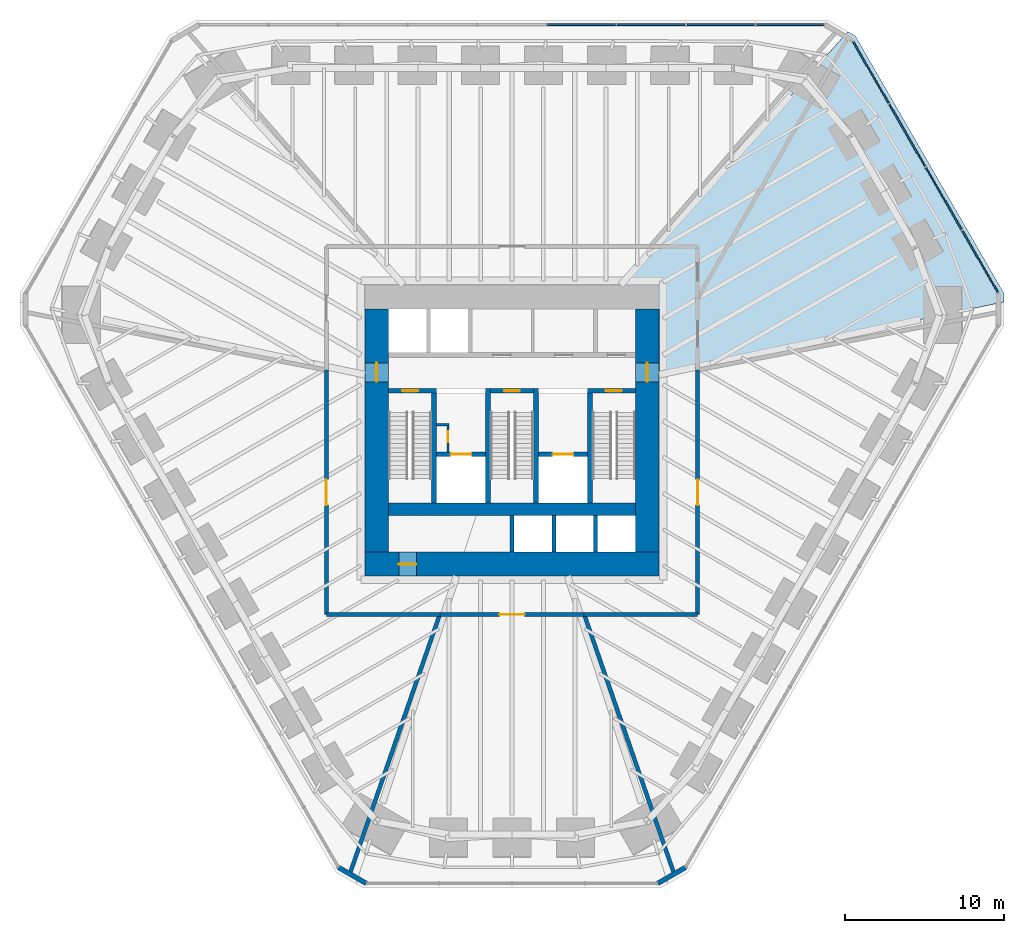
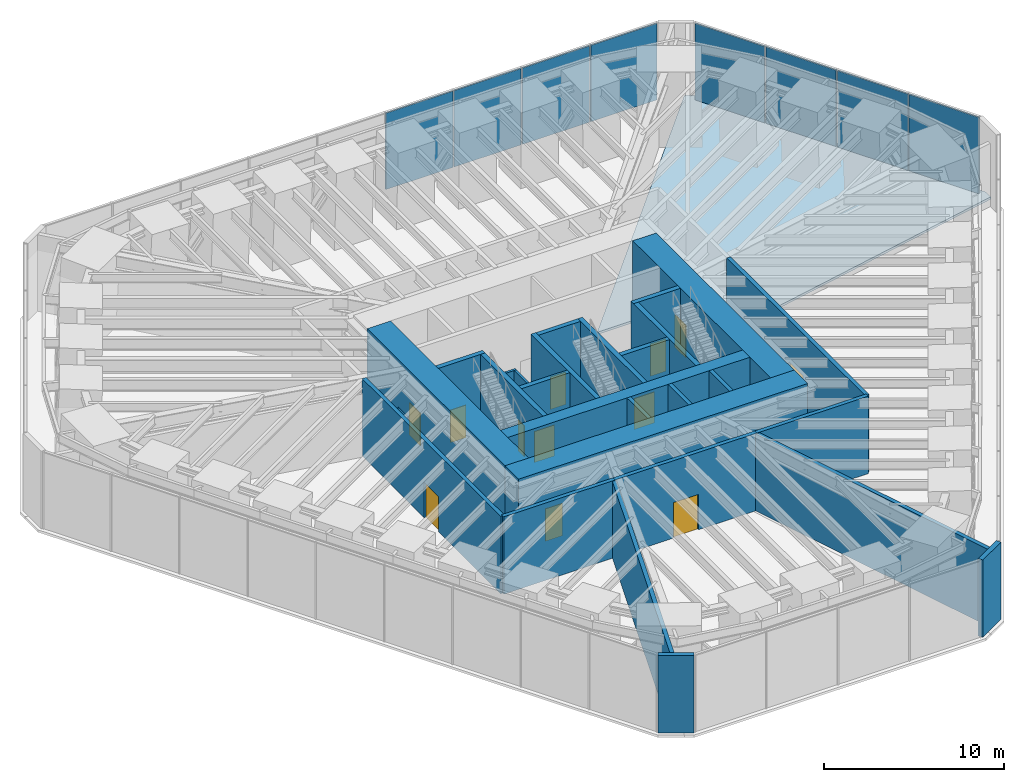
# One storey, part 11 of 13: 27 walls, 12 doors, 8 plates, 1 slab, 12 openings, 2 elements without a shape of their own.
"""IFC4 building model written with IfcOpenShell, lengths in metres."""

from ifc_helpers import new_model, si_unit, direction, frame, frame_2d, origin, origin_2d, place, context, subcontext, project, spatial, polyline, rectangle, outline, extrude, material, layer, layer_set, type_object, element, fill, aggregate, save


model = new_model("IFC4")

# Units and contexts
model_context = context("Model", 3, precision=1e-05, world=origin(), true_north=direction((0.0, 1.0)))
body_context = subcontext(model_context, "Body", "Model", "MODEL_VIEW")
ifc_project = project(units=[si_unit("LENGTHUNIT", "METRE"), si_unit("AREAUNIT", "SQUARE_METRE"), si_unit("VOLUMEUNIT", "CUBIC_METRE"), si_unit("PLANEANGLEUNIT", "RADIAN"), si_unit("MASSUNIT", "GRAM", prefix="KILO")], contexts=[model_context])

# Site, building, storey
site_placement = place(None, origin())
site = spatial("IfcSite", under=ifc_project, at=site_placement, CompositionType="ELEMENT")
building_placement = place(site_placement, origin())
building = spatial("IfcBuilding", under=site, at=building_placement, Name="Sandreach Pilgrim Tower", CompositionType="ELEMENT")
storey_placement = place(building_placement, frame((0.0, 0.0, 91.39990234375)))
storey = spatial("IfcBuildingStorey", under=building, at=storey_placement, Name="L22", CompositionType="ELEMENT", Elevation=91.39990234375)

# Curtain wall, plates
ifc_material_1 = material(Name="Aluminium framed curtain wall", Category="aluminium")
curtain_wall_type = type_object("IfcCurtainWallType", Name="Plant storey louvred curtain wall", PredefinedType="NOTDEFINED", material=ifc_material_1)
curtain_wall_1_placement = place(storey_placement, origin())
curtain_wall_1 = element("IfcCurtainWall", 1, at=curtain_wall_1_placement, inside=storey, type_object=curtain_wall_type, Name="CW-L L22 N", PredefinedType="NOTDEFINED")
ifc_material_2 = material(Name="Aluminium weather louvre blades 100 deep", Category="aluminium")
ifc_layer_1 = layer(ifc_material_2, 0.10009765625)
ifc_layer_set_1 = layer_set([ifc_layer_1], Name="CW-L panel")
plate_type = type_object("IfcPlateType", Name="CW-L panel", PredefinedType="CURTAIN_PANEL", material=ifc_layer_set_1)
plate_1_placement = place(storey_placement, frame((4.37158203125, 23.94873046875, 0.000244140625), z_axis=(0.0, 0.0, 1.0), x_axis=(1.0, 0.0, 0.0)))
plate_1 = element("IfcPlate", 2, at=plate_1_placement, type_object=plate_type, Name="CW-L panel 6", PredefinedType="CURTAIN_PANEL", context=body_context, shape_type="SweptSolid", body=[
    extrude(rectangle(XDim=4.29150390625, YDim=0.10009765625, at=origin_2d()), origin(), (0.0, 0.0, 1.0), 5.169921875),
])
plate_2_placement = place(storey_placement, frame((8.7431640625, 23.94873046875, 0.000244140625), z_axis=(0.0, 0.0, 1.0), x_axis=(1.0, 0.0, 0.0)))
plate_2 = element("IfcPlate", 3, at=plate_2_placement, type_object=plate_type, Name="CW-L panel 7", PredefinedType="CURTAIN_PANEL", context=body_context, shape_type="SweptSolid", body=[
    extrude(rectangle(XDim=4.29150390625, YDim=0.10009765625, at=origin_2d()), origin(), (0.0, 0.0, 1.0), 5.169921875),
])
plate_3_placement = place(storey_placement, frame((13.11474609375, 23.94873046875, 0.000244140625), z_axis=(0.0, 0.0, 1.0), x_axis=(1.0, 0.0, 0.0)))
plate_3 = element("IfcPlate", 4, at=plate_3_placement, type_object=plate_type, Name="CW-L panel 8", PredefinedType="CURTAIN_PANEL", context=body_context, shape_type="SweptSolid", body=[
    extrude(rectangle(XDim=4.29150390625, YDim=0.10009765625, at=origin_2d()), origin(), (0.0, 0.0, 1.0), 5.169921875),
])
plate_4_placement = place(storey_placement, frame((17.46630859375, 23.94873046875, 0.000244140625), z_axis=(0.0, 0.0, 1.0), x_axis=(1.0, 0.0, 0.0)))
plate_4 = element("IfcPlate", 5, at=plate_4_placement, type_object=plate_type, Name="CW-L panel 9", PredefinedType="CURTAIN_PANEL", context=body_context, shape_type="SweptSolid", body=[
    extrude(rectangle(XDim=4.25146484375, YDim=0.10009765625, at=origin_2d()), origin(), (0.0, 0.0, 1.0), 5.169921875),
])
aggregate(curtain_wall_1, [plate_1, plate_2, plate_3, plate_4])

curtain_wall_2_placement = place(storey_placement, origin())
curtain_wall_2 = element("IfcCurtainWall", 6, at=curtain_wall_2_placement, inside=storey, type_object=curtain_wall_type, Name="CW-L L22 NE", PredefinedType="NOTDEFINED")
plate_5_placement = place(storey_placement, frame((22.560546875, 20.945556640625, 0.000244140625), z_axis=(0.0, 0.0, 1.0), x_axis=(0.5, -0.866025403784, 0.0)))
plate_5 = element("IfcPlate", 7, at=plate_5_placement, type_object=plate_type, Name="CW-L panel 1", PredefinedType="CURTAIN_PANEL", context=body_context, shape_type="SweptSolid", body=[
    extrude(rectangle(XDim=4.466064453125, YDim=0.10009765625, at=origin_2d()), origin(), (0.0, 0.0, 1.0), 5.169921875),
])
plate_6_placement = place(storey_placement, frame((24.84375, 16.9912109375, 0.000244140625), z_axis=(0.0, 0.0, 1.0), x_axis=(0.5, -0.866025403784, 0.0)))
plate_6 = element("IfcPlate", 8, at=plate_6_placement, type_object=plate_type, Name="CW-L panel 2", PredefinedType="CURTAIN_PANEL", context=body_context, shape_type="SweptSolid", body=[
    extrude(rectangle(XDim=4.506103515625, YDim=0.10009765625, at=origin_2d()), origin(), (0.0, 0.0, 1.0), 5.169921875),
])
plate_7_placement = place(storey_placement, frame((27.13671875, 13.01953125, 0.000244140625), z_axis=(0.0, 0.0, 1.0), x_axis=(0.5, -0.866025403784, 0.0)))
plate_7 = element("IfcPlate", 9, at=plate_7_placement, type_object=plate_type, Name="CW-L panel 3", PredefinedType="CURTAIN_PANEL", context=body_context, shape_type="SweptSolid", body=[
    extrude(rectangle(XDim=4.506103515625, YDim=0.10009765625, at=origin_2d()), origin(), (0.0, 0.0, 1.0), 5.169921875),
])
plate_8_placement = place(storey_placement, frame((29.419677734375, 9.0654296875, 0.000244140625), z_axis=(0.0, 0.0, 1.0), x_axis=(0.5, -0.866025403784, 0.0)))
plate_8 = element("IfcPlate", 10, at=plate_8_placement, type_object=plate_type, Name="CW-L panel 4", PredefinedType="CURTAIN_PANEL", context=body_context, shape_type="SweptSolid", body=[
    extrude(rectangle(XDim=4.466064453125, YDim=0.10009765625, at=origin_2d()), origin(), (0.0, 0.0, 1.0), 5.169921875),
])
aggregate(curtain_wall_2, [plate_5, plate_6, plate_7, plate_8])

# Slab
ifc_material_3 = material(Name="Concrete 8000 psi", Category="concrete")
ifc_layer_2 = layer(ifc_material_3, 0.159912109375)
ifc_layer_set_2 = layer_set([ifc_layer_2], Name="Composite floor slab 160")
slab_type = type_object("IfcSlabType", Name="Composite floor slab 160", PredefinedType="FLOOR", material=ifc_layer_set_2)
slab_placement = place(storey_placement, frame((0.0, 0.0, -0.159912109375)))
element("IfcSlab", 11, at=slab_placement, inside=storey, type_object=slab_type, Name="Floor slab L22 NE sector", PredefinedType="FLOOR", context=body_context, shape_type="SweptSolid", body=[
    extrude(outline(polyline([(21.577392578125, 23.248779296875), (30.922607421875, 7.062255859375), (30.922607421875, 6.52880859375), (7.75, 1.63623046875), (7.75, 6.10009765625), (5.477294921875, 6.10009765625), (21.115478515625, 23.515380859375), (21.577392578125, 23.248779296875)])), origin(), (0.0, 0.0, 1.0), 0.159912109375),
])

# Walls
ifc_material_4 = material(Name="Concrete 10000 psi", Category="concrete")
ifc_layer_3 = layer(ifc_material_4, 0.300048828125)
ifc_layer_set_3 = layer_set([ifc_layer_3], Name="Core inner wall 300")
wall_type_1 = type_object("IfcWallType", Name="Core inner wall 300", PredefinedType="SHEAR", material=ifc_layer_set_3)
for number, where, z_axis, x_axis, name in (
    (12, (-4.89990234375, -6.10009765625, 0.0), (0.0, 0.0, 1.0), (0.0, 1.0, 0.0), "Core wall I0 L22"),
    (13, (-1.5, -6.10009765625, 0.0), (0.0, 0.0, 1.0), (0.0, 1.0, 0.0), "Core wall I1 L22"),
    (14, (1.5, -6.10009765625, 0.0), (0.0, 0.0, 1.0), (0.0, 1.0, 0.0), "Core wall I2 L22"),
    (15, (4.89990234375, -6.10009765625, 0.0), (0.0, 0.0, 1.0), (0.0, 1.0, 0.0), "Core wall I3 L22"),
):
    element("IfcWall", number, at=place(storey_placement, frame(where, z_axis=z_axis, x_axis=x_axis)), inside=storey, type_object=wall_type_1, Name=name, PredefinedType="SHEAR", context=body_context, shape_type="SweptSolid", body=[
        extrude(rectangle(XDim=7.2001953125, YDim=0.300048828125, at=frame_2d((3.60009765625, 0.0))), origin(), (0.0, 0.0, 1.0), 5.400146484375),
    ])

# Wall, opening, door
wall_1_placement = place(storey_placement, frame((-7.75, 0.949951171875, 0.0), z_axis=(0.0, 0.0, 1.0), x_axis=(1.0, 0.0, 0.0)))
wall_1 = element("IfcWall", 16, at=wall_1_placement, inside=storey, type_object=wall_type_1, Name="Core wall SN1 L22", PredefinedType="SHEAR", context=body_context, shape_type="SweptSolid", body=[
    extrude(rectangle(XDim=3.0, YDim=0.300048828125, at=frame_2d((1.5, 0.0))), origin(), (0.0, 0.0, 1.0), 5.400146484375),
])
opening_1_placement = place(wall_1_placement, frame((0.85009765625, 0.0, 0.0)))
opening_1 = element("IfcOpeningElement", 17, at=opening_1_placement, cuts=wall_1, Name="Opening D10S-ST1", PredefinedType="OPENING", context=body_context, shape_type="SweptSolid", body=[
    extrude(rectangle(XDim=1.0, YDim=2.199951171875, at=frame_2d((0.5, 1.10009765625))), frame((0.0, 0.14990234375, 0.0), z_axis=(0.0, -1.0, 0.0), x_axis=(1.0, 0.0, 0.0)), (0.0, 0.0, 1.0), 0.300048828125),
])
ifc_material_5 = material(Name="Steel door and frame", Category="steel")
door_type_1 = type_object("IfcDoorType", Name="Stair door", OperationType="SINGLE_SWING_LEFT", PredefinedType="DOOR", material=ifc_material_5)
door_1_placement = place(opening_1_placement, origin())
door_1 = element("IfcDoor", 18, at=door_1_placement, inside=storey, type_object=door_type_1, Name="Stair door ST1 L22", OperationType="SINGLE_SWING_LEFT", OverallHeight=2.199951171875, OverallWidth=1.0, PredefinedType="DOOR", context=body_context, shape_type="SweptSolid", body=[
    extrude(rectangle(XDim=1.0, YDim=2.199951171875, at=frame_2d((0.5, 1.10009765625))), frame((0.0, 0.02490234375, 0.0), z_axis=(0.0, -1.0, 0.0), x_axis=(1.0, 0.0, 0.0)), (0.0, 0.0, 1.0), 0.050048828125),
])
fill(opening_1, door_1)

wall_2_placement = place(storey_placement, frame((-1.35009765625, 0.949951171875, 0.0), z_axis=(0.0, 0.0, 1.0), x_axis=(1.0, 0.0, 0.0)))
wall_2 = element("IfcWall", 19, at=wall_2_placement, inside=storey, type_object=wall_type_1, Name="Core wall SN3 L22", PredefinedType="SHEAR", context=body_context, shape_type="SweptSolid", body=[
    extrude(rectangle(XDim=2.7001953125, YDim=0.300048828125, at=frame_2d((1.35009765625, 0.0))), origin(), (0.0, 0.0, 1.0), 5.400146484375),
])
opening_2_placement = place(wall_2_placement, frame((0.85009765625, 0.0, 0.0)))
opening_2 = element("IfcOpeningElement", 20, at=opening_2_placement, cuts=wall_2, Name="Opening D10S-ST3", PredefinedType="OPENING", context=body_context, shape_type="SweptSolid", body=[
    extrude(rectangle(XDim=1.0, YDim=2.199951171875, at=frame_2d((0.5, 1.10009765625))), frame((0.0, 0.14990234375, 0.0), z_axis=(0.0, -1.0, 0.0), x_axis=(1.0, 0.0, 0.0)), (0.0, 0.0, 1.0), 0.300048828125),
])
door_2_placement = place(opening_2_placement, origin())
door_2 = element("IfcDoor", 21, at=door_2_placement, inside=storey, type_object=door_type_1, Name="Stair door ST3 L22", OperationType="SINGLE_SWING_LEFT", OverallHeight=2.199951171875, OverallWidth=1.0, PredefinedType="DOOR", context=body_context, shape_type="SweptSolid", body=[
    extrude(rectangle(XDim=1.0, YDim=2.199951171875, at=frame_2d((0.5, 1.10009765625))), frame((0.0, 0.02490234375, 0.0), z_axis=(0.0, -1.0, 0.0), x_axis=(1.0, 0.0, 0.0)), (0.0, 0.0, 1.0), 0.050048828125),
])
fill(opening_2, door_2)

wall_3_placement = place(storey_placement, frame((4.75, 0.949951171875, 0.0), z_axis=(0.0, 0.0, 1.0), x_axis=(1.0, 0.0, 0.0)))
wall_3 = element("IfcWall", 22, at=wall_3_placement, inside=storey, type_object=wall_type_1, Name="Core wall SN2 L22", PredefinedType="SHEAR", context=body_context, shape_type="SweptSolid", body=[
    extrude(rectangle(XDim=3.0, YDim=0.300048828125, at=frame_2d((1.5, 0.0))), origin(), (0.0, 0.0, 1.0), 5.400146484375),
])
opening_3_placement = place(wall_3_placement, frame((1.14990234375, 0.0, 0.0)))
opening_3 = element("IfcOpeningElement", 23, at=opening_3_placement, cuts=wall_3, Name="Opening D10S-ST2", PredefinedType="OPENING", context=body_context, shape_type="SweptSolid", body=[
    extrude(rectangle(XDim=1.0, YDim=2.199951171875, at=frame_2d((0.5, 1.10009765625))), frame((0.0, 0.14990234375, 0.0), z_axis=(0.0, -1.0, 0.0), x_axis=(1.0, 0.0, 0.0)), (0.0, 0.0, 1.0), 0.300048828125),
])
door_3_placement = place(opening_3_placement, origin())
door_3 = element("IfcDoor", 24, at=door_3_placement, inside=storey, type_object=door_type_1, Name="Stair door ST2 L22", OperationType="SINGLE_SWING_RIGHT", OverallHeight=2.199951171875, OverallWidth=1.0, PredefinedType="DOOR", context=body_context, shape_type="SweptSolid", body=[
    extrude(rectangle(XDim=1.0, YDim=2.199951171875, at=frame_2d((0.5, 1.10009765625))), frame((0.0, 0.02490234375, 0.0), z_axis=(0.0, -1.0, 0.0), x_axis=(1.0, 0.0, 0.0)), (0.0, 0.0, 1.0), 0.050048828125),
])
fill(opening_3, door_3)

wall_4_placement = place(storey_placement, frame((-4.75, -3.050048828125, 0.0), z_axis=(0.0, 0.0, 1.0), x_axis=(1.0, 0.0, 0.0)))
wall_4 = element("IfcWall", 25, at=wall_4_placement, inside=storey, type_object=wall_type_1, Name="Core wall FL1 L22", PredefinedType="SHEAR", context=body_context, shape_type="SweptSolid", body=[
    extrude(rectangle(XDim=3.10009765625, YDim=0.300048828125, at=frame_2d((1.550048828125, 0.0))), origin(), (0.0, 0.0, 1.0), 5.400146484375),
])
opening_4_placement = place(wall_4_placement, frame((0.89990234375, 0.0, 0.0)))
opening_4 = element("IfcOpeningElement", 26, at=opening_4_placement, cuts=wall_4, Name="Opening LD13", PredefinedType="OPENING", context=body_context, shape_type="SweptSolid", body=[
    extrude(rectangle(XDim=1.300048828125, YDim=2.10009765625, at=frame_2d((0.64990234375, 1.050048828125))), frame((0.0, 0.14990234375, 0.0), z_axis=(0.0, -1.0, 0.0), x_axis=(1.0, 0.0, 0.0)), (0.0, 0.0, 1.0), 0.300048828125),
])
ifc_material_6 = material(Name="Steel door and frame", Category="steel")
door_type_2 = type_object("IfcDoorType", Name="Fire service lift landing door", OperationType="DOUBLE_DOOR_SLIDING", PredefinedType="DOOR", material=ifc_material_6)
door_4_placement = place(opening_4_placement, origin())
door_4 = element("IfcDoor", 27, at=door_4_placement, inside=storey, type_object=door_type_2, Name="Lift landing door FS1 L22", OperationType="DOUBLE_DOOR_SLIDING", OverallHeight=2.10009765625, OverallWidth=1.300048828125, PredefinedType="DOOR", context=body_context, shape_type="SweptSolid", body=[
    extrude(rectangle(XDim=1.300048828125, YDim=2.10009765625, at=frame_2d((0.64990234375, 1.050048828125))), frame((0.0, 0.02490234375, 0.0), z_axis=(0.0, -1.0, 0.0), x_axis=(1.0, 0.0, 0.0)), (0.0, 0.0, 1.0), 0.050048828125),
])
fill(opening_4, door_4)

wall_5_placement = place(storey_placement, frame((1.64990234375, -3.050048828125, 0.0), z_axis=(0.0, 0.0, 1.0), x_axis=(1.0, 0.0, 0.0)))
wall_5 = element("IfcWall", 28, at=wall_5_placement, inside=storey, type_object=wall_type_1, Name="Core wall FL2 L22", PredefinedType="SHEAR", context=body_context, shape_type="SweptSolid", body=[
    extrude(rectangle(XDim=3.10009765625, YDim=0.300048828125, at=frame_2d((1.550048828125, 0.0))), origin(), (0.0, 0.0, 1.0), 5.400146484375),
])
opening_5_placement = place(wall_5_placement, frame((0.89990234375, 0.0, 0.0)))
opening_5 = element("IfcOpeningElement", 29, at=opening_5_placement, cuts=wall_5, Name="Opening LD13", PredefinedType="OPENING", context=body_context, shape_type="SweptSolid", body=[
    extrude(rectangle(XDim=1.300048828125, YDim=2.10009765625, at=frame_2d((0.64990234375, 1.050048828125))), frame((0.0, 0.14990234375, 0.0), z_axis=(0.0, -1.0, 0.0), x_axis=(1.0, 0.0, 0.0)), (0.0, 0.0, 1.0), 0.300048828125),
])
door_5_placement = place(opening_5_placement, origin())
door_5 = element("IfcDoor", 30, at=door_5_placement, inside=storey, type_object=door_type_2, Name="Lift landing door FS2 L22", OperationType="DOUBLE_DOOR_SLIDING", OverallHeight=2.10009765625, OverallWidth=1.300048828125, PredefinedType="DOOR", context=body_context, shape_type="SweptSolid", body=[
    extrude(rectangle(XDim=1.300048828125, YDim=2.10009765625, at=frame_2d((0.64990234375, 1.050048828125))), frame((0.0, 0.02490234375, 0.0), z_axis=(0.0, -1.0, 0.0), x_axis=(1.0, 0.0, 0.0)), (0.0, 0.0, 1.0), 0.050048828125),
])
fill(opening_5, door_5)

# Wall
ifc_material_7 = material(Name="Concrete 10000 psi", Category="concrete")
ifc_layer_4 = layer(ifc_material_7, 0.800048828125)
ifc_layer_set_4 = layer_set([ifc_layer_4], Name="Core mid wall 800")
wall_type_2 = type_object("IfcWallType", Name="Core mid wall 800", PredefinedType="SHEAR", material=ifc_layer_set_4)
wall_6_placement = place(storey_placement, frame((-7.75, -6.5, 0.0), z_axis=(0.0, 0.0, 1.0), x_axis=(1.0, 0.0, 0.0)))
element("IfcWall", 31, at=wall_6_placement, inside=storey, type_object=wall_type_2, Name="Core wall M L22", PredefinedType="SHEAR", context=body_context, shape_type="SweptSolid", body=[
    extrude(rectangle(XDim=15.5, YDim=0.800048828125, at=frame_2d((7.75, 0.0))), origin(), (0.0, 0.0, 1.0), 5.400146484375),
])

# Wall, opening, door
ifc_material_8 = material(Name="Concrete 10000 psi", Category="concrete")
ifc_layer_5 = layer(ifc_material_8, 1.5)
ifc_layer_set_5 = layer_set([ifc_layer_5], Name="Core wall 1500")
wall_type_3 = type_object("IfcWallType", Name="Core wall 1500", PredefinedType="SHEAR", material=ifc_layer_set_5)
wall_7_placement = place(storey_placement, frame((-9.25, -9.949951171875, 0.0), z_axis=(0.0, 0.0, 1.0), x_axis=(1.0, 0.0, 0.0)))
wall_7 = element("IfcWall", 32, at=wall_7_placement, inside=storey, type_object=wall_type_3, Name="Core wall S L22", PredefinedType="SHEAR", context=body_context, shape_type="SweptSolid", body=[
    extrude(rectangle(XDim=18.5, YDim=1.5, at=frame_2d((9.25, 0.0))), origin(), (0.0, 0.0, 1.0), 5.400146484375),
])
opening_6_placement = place(wall_7_placement, frame((2.137451171875, 0.0, 0.0)))
opening_6 = element("IfcOpeningElement", 33, at=opening_6_placement, cuts=wall_7, Name="Opening D11SL", PredefinedType="OPENING", context=body_context, shape_type="SweptSolid", body=[
    extrude(rectangle(XDim=1.10009765625, YDim=2.199951171875, at=frame_2d((0.550048828125, 1.10009765625))), frame((0.0, 0.75, 0.0), z_axis=(0.0, -1.0, 0.0), x_axis=(1.0, 0.0, 0.0)), (0.0, 0.0, 1.0), 1.5),
])
ifc_material_9 = material(Name="Steel sliding door and frame", Category="steel")
door_type_3 = type_object("IfcDoorType", Name="Core room sliding door", OperationType="SLIDING_TO_LEFT", PredefinedType="DOOR", material=ifc_material_9)
door_6_placement = place(opening_6_placement, origin())
door_6 = element("IfcDoor", 34, at=door_6_placement, inside=storey, type_object=door_type_3, Name="Door plant store 22K4", OperationType="SLIDING_TO_LEFT", OverallHeight=2.199951171875, OverallWidth=1.10009765625, PredefinedType="DOOR", context=body_context, shape_type="SweptSolid", body=[
    extrude(rectangle(XDim=1.10009765625, YDim=2.199951171875, at=frame_2d((0.550048828125, 1.10009765625))), frame((0.0, 0.02490234375, 0.0), z_axis=(0.0, -1.0, 0.0), x_axis=(1.0, 0.0, 0.0)), (0.0, 0.0, 1.0), 0.050048828125),
])
fill(opening_6, door_6)

wall_8_placement = place(storey_placement, frame((-8.5, -9.199951171875, 0.0), z_axis=(0.0, 0.0, 1.0), x_axis=(0.0, 1.0, 0.0)))
wall_8 = element("IfcWall", 35, at=wall_8_placement, inside=storey, type_object=wall_type_3, Name="Core wall W L22", PredefinedType="SHEAR", context=body_context, shape_type="SweptSolid", body=[
    extrude(rectangle(XDim=15.300048828125, YDim=1.5, at=frame_2d((7.64990234375, 0.0))), origin(), (0.0, 0.0, 1.0), 5.400146484375),
])
opening_7_placement = place(wall_8_placement, frame((10.699951171875, 0.0, 0.0)))
opening_7 = element("IfcOpeningElement", 36, at=opening_7_placement, cuts=wall_8, Name="Opening D12F-W", PredefinedType="OPENING", context=body_context, shape_type="SweptSolid", body=[
    extrude(rectangle(XDim=1.199951171875, YDim=2.199951171875, at=frame_2d((0.60009765625, 1.10009765625))), frame((0.0, 0.75, 0.0), z_axis=(0.0, -1.0, 0.0), x_axis=(1.0, 0.0, 0.0)), (0.0, 0.0, 1.0), 1.5),
])
ifc_material_10 = material(Name="Steel door and frame", Category="steel")
door_type_4 = type_object("IfcDoorType", Name="Fire lobby door", OperationType="SINGLE_SWING_LEFT", PredefinedType="DOOR", material=ifc_material_10)
door_7_placement = place(opening_7_placement, origin())
door_7 = element("IfcDoor", 37, at=door_7_placement, inside=storey, type_object=door_type_4, Name="Fire service lobby door W L22", OperationType="SINGLE_SWING_RIGHT", OverallHeight=2.199951171875, OverallWidth=1.199951171875, PredefinedType="DOOR", context=body_context, shape_type="SweptSolid", body=[
    extrude(rectangle(XDim=1.199951171875, YDim=2.199951171875, at=frame_2d((0.60009765625, 1.10009765625))), frame((0.0, 0.02490234375, 0.0), z_axis=(0.0, -1.0, 0.0), x_axis=(1.0, 0.0, 0.0)), (0.0, 0.0, 1.0), 0.050048828125),
])
fill(opening_7, door_7)

wall_9_placement = place(storey_placement, frame((8.5, -9.199951171875, 0.0), z_axis=(0.0, 0.0, 1.0), x_axis=(0.0, 1.0, 0.0)))
wall_9 = element("IfcWall", 38, at=wall_9_placement, inside=storey, type_object=wall_type_3, Name="Core wall E L22", PredefinedType="SHEAR", context=body_context, shape_type="SweptSolid", body=[
    extrude(rectangle(XDim=15.300048828125, YDim=1.5, at=frame_2d((7.64990234375, 0.0))), origin(), (0.0, 0.0, 1.0), 5.400146484375),
])
opening_8_placement = place(wall_9_placement, frame((10.699951171875, 0.0, 0.0)))
opening_8 = element("IfcOpeningElement", 39, at=opening_8_placement, cuts=wall_9, Name="Opening D12F-E", PredefinedType="OPENING", context=body_context, shape_type="SweptSolid", body=[
    extrude(rectangle(XDim=1.199951171875, YDim=2.199951171875, at=frame_2d((0.60009765625, 1.10009765625))), frame((0.0, 0.75, 0.0), z_axis=(0.0, -1.0, 0.0), x_axis=(1.0, 0.0, 0.0)), (0.0, 0.0, 1.0), 1.5),
])
door_8_placement = place(opening_8_placement, origin())
door_8 = element("IfcDoor", 40, at=door_8_placement, inside=storey, type_object=door_type_4, Name="Fire service lobby door E L22", OperationType="SINGLE_SWING_RIGHT", OverallHeight=2.199951171875, OverallWidth=1.199951171875, PredefinedType="DOOR", context=body_context, shape_type="SweptSolid", body=[
    extrude(rectangle(XDim=1.199951171875, YDim=2.199951171875, at=frame_2d((0.60009765625, 1.10009765625))), frame((0.0, 0.02490234375, 0.0), z_axis=(0.0, -1.0, 0.0), x_axis=(1.0, 0.0, 0.0)), (0.0, 0.0, 1.0), 0.050048828125),
])
fill(opening_8, door_8)

# Wall
ifc_material_11 = material(Name="Acoustic gypsum board wall, double frame", Category="gypsum")
ifc_layer_6 = layer(ifc_material_11, 0.25)
ifc_layer_set_6 = layer_set([ifc_layer_6], Name="Hall partition 250")
wall_type_4 = type_object("IfcWallType", Name="Hall partition 250", PredefinedType="PARTITIONING", material=ifc_layer_set_6)
wall_10_placement = place(storey_placement, frame((-11.669921875, -13.1201171875, 0.0), z_axis=(0.0, 0.0, 1.0), x_axis=(1.0, 0.0, 0.0)))
element("IfcWall", 41, at=wall_10_placement, inside=storey, type_object=wall_type_4, Name="Hall partition L22-002", PredefinedType="PARTITIONING", context=body_context, shape_type="SweptSolid", body=[
    extrude(rectangle(XDim=7.1298828125, YDim=0.25, at=frame_2d((3.56494140625, 0.0))), origin(), (0.0, 0.0, 1.0), 5.239990234375),
])

# Wall, opening, door
wall_11_placement = place(storey_placement, frame((-11.669921875, 2.25, 0.0), z_axis=(0.0, 0.0, 1.0), x_axis=(0.0, -1.0, 0.0)))
wall_11 = element("IfcWall", 42, at=wall_11_placement, inside=storey, type_object=wall_type_4, Name="Hall partition L22-003", PredefinedType="PARTITIONING", context=body_context, shape_type="SweptSolid", body=[
    extrude(rectangle(XDim=15.3701171875, YDim=0.25, at=frame_2d((7.68505859375, 0.0))), origin(), (0.0, 0.0, 1.0), 5.239990234375),
])
opening_9_placement = place(wall_11_placement, frame((6.885009765625, 0.0, 0.0)))
opening_9 = element("IfcOpeningElement", 43, at=opening_9_placement, cuts=wall_11, Name="Opening D16-05", PredefinedType="OPENING", context=body_context, shape_type="SweptSolid", body=[
    extrude(rectangle(XDim=1.60009765625, YDim=2.39990234375, at=frame_2d((0.800048828125, 1.199951171875))), frame((0.0, 0.125, 0.0), z_axis=(0.0, -1.0, 0.0), x_axis=(1.0, 0.0, 0.0)), (0.0, 0.0, 1.0), 0.25),
])
ifc_material_12 = material(Name="Steel door and frame", Category="steel")
door_type_5 = type_object("IfcDoorType", Name="Hall double door", OperationType="DOUBLE_DOOR_SINGLE_SWING", PredefinedType="DOOR", material=ifc_material_12)
door_9_placement = place(opening_9_placement, origin())
door_9 = element("IfcDoor", 44, at=door_9_placement, inside=storey, type_object=door_type_5, Name="Door 2205", OperationType="DOUBLE_DOOR_SINGLE_SWING", OverallHeight=2.39990234375, OverallWidth=1.60009765625, PredefinedType="DOOR", context=body_context, shape_type="SweptSolid", body=[
    extrude(rectangle(XDim=1.60009765625, YDim=2.39990234375, at=frame_2d((0.800048828125, 1.199951171875))), frame((0.0, 0.02490234375, 0.0), z_axis=(0.0, -1.0, 0.0), x_axis=(1.0, 0.0, 0.0)), (0.0, 0.0, 1.0), 0.050048828125),
])
fill(opening_9, door_9)

# Wall
wall_12_placement = place(storey_placement, frame((-10.2001953125, -29.441650390625, 0.0), z_axis=(0.0, 0.0, 1.0), x_axis=(0.327647844649, 0.944799920563, 0.0)))
element("IfcWall", 45, at=wall_12_placement, inside=storey, type_object=wall_type_4, Name="Hall partition L22-005", PredefinedType="PARTITIONING", context=body_context, shape_type="SweptSolid", body=[
    extrude(rectangle(XDim=17.275146484375, YDim=0.25, at=frame_2d((8.6376953125, 0.0))), origin(), (0.0, 0.0, 1.0), 5.2001953125),
])

# Wall, opening, door
wall_13_placement = place(storey_placement, frame((-4.5400390625, -13.1201171875, 0.0), z_axis=(0.0, 0.0, 1.0), x_axis=(1.0, 0.0, 0.0)))
wall_13 = element("IfcWall", 46, at=wall_13_placement, inside=storey, type_object=wall_type_4, Name="Hall partition L22-008", PredefinedType="PARTITIONING", context=body_context, shape_type="SweptSolid", body=[
    extrude(rectangle(XDim=9.080078125, YDim=0.25, at=frame_2d((4.5400390625, 0.0))), origin(), (0.0, 0.0, 1.0), 5.239990234375),
])
opening_10_placement = place(wall_13_placement, frame((3.739990234375, 0.0, 0.0)))
opening_10 = element("IfcOpeningElement", 47, at=opening_10_placement, cuts=wall_13, Name="Opening D16-04", PredefinedType="OPENING", context=body_context, shape_type="SweptSolid", body=[
    extrude(rectangle(XDim=1.60009765625, YDim=2.39990234375, at=frame_2d((0.800048828125, 1.199951171875))), frame((0.0, 0.125, 0.0), z_axis=(0.0, -1.0, 0.0), x_axis=(1.0, 0.0, 0.0)), (0.0, 0.0, 1.0), 0.25),
])
door_10_placement = place(opening_10_placement, origin())
door_10 = element("IfcDoor", 48, at=door_10_placement, inside=storey, type_object=door_type_5, Name="Door 2204", OperationType="DOUBLE_DOOR_SINGLE_SWING", OverallHeight=2.39990234375, OverallWidth=1.60009765625, PredefinedType="DOOR", context=body_context, shape_type="SweptSolid", body=[
    extrude(rectangle(XDim=1.60009765625, YDim=2.39990234375, at=frame_2d((0.800048828125, 1.199951171875))), frame((0.0, 0.02490234375, 0.0), z_axis=(0.0, -1.0, 0.0), x_axis=(1.0, 0.0, 0.0)), (0.0, 0.0, 1.0), 0.050048828125),
])
fill(opening_10, door_10)

# Walls
wall_14_placement = place(storey_placement, frame((4.5400390625, -13.1201171875, 0.0), z_axis=(0.0, 0.0, 1.0), x_axis=(1.0, 0.0, 0.0)))
element("IfcWall", 49, at=wall_14_placement, inside=storey, type_object=wall_type_4, Name="Hall partition L22-009", PredefinedType="PARTITIONING", context=body_context, shape_type="SweptSolid", body=[
    extrude(rectangle(XDim=7.1298828125, YDim=0.25, at=frame_2d((3.56494140625, 0.0))), origin(), (0.0, 0.0, 1.0), 5.239990234375),
])
wall_15_placement = place(storey_placement, frame((10.2001953125, -29.441650390625, 0.0), z_axis=(0.0, 0.0, 1.0), x_axis=(-0.327647844649, 0.944799920563, 0.0)))
element("IfcWall", 50, at=wall_15_placement, inside=storey, type_object=wall_type_4, Name="Hall partition L22-011", PredefinedType="PARTITIONING", context=body_context, shape_type="SweptSolid", body=[
    extrude(rectangle(XDim=17.275146484375, YDim=0.25, at=frame_2d((8.6376953125, 0.0))), origin(), (0.0, 0.0, 1.0), 5.2001953125),
])

# Wall, opening, door
wall_16_placement = place(storey_placement, frame((11.669921875, -13.1201171875, 0.0), z_axis=(0.0, 0.0, 1.0), x_axis=(0.0, 1.0, 0.0)))
wall_16 = element("IfcWall", 51, at=wall_16_placement, inside=storey, type_object=wall_type_4, Name="Hall partition L22-012", PredefinedType="PARTITIONING", context=body_context, shape_type="SweptSolid", body=[
    extrude(rectangle(XDim=15.3701171875, YDim=0.25, at=frame_2d((7.68505859375, 0.0))), origin(), (0.0, 0.0, 1.0), 5.239990234375),
])
opening_11_placement = place(wall_16_placement, frame((6.885009765625, 0.0, 0.0)))
opening_11 = element("IfcOpeningElement", 52, at=opening_11_placement, cuts=wall_16, Name="Opening D16-03", PredefinedType="OPENING", context=body_context, shape_type="SweptSolid", body=[
    extrude(rectangle(XDim=1.60009765625, YDim=2.39990234375, at=frame_2d((0.800048828125, 1.199951171875))), frame((0.0, 0.125, 0.0), z_axis=(0.0, -1.0, 0.0), x_axis=(1.0, 0.0, 0.0)), (0.0, 0.0, 1.0), 0.25),
])
door_11_placement = place(opening_11_placement, origin())
door_11 = element("IfcDoor", 53, at=door_11_placement, inside=storey, type_object=door_type_5, Name="Door 2203", OperationType="DOUBLE_DOOR_SINGLE_SWING", OverallHeight=2.39990234375, OverallWidth=1.60009765625, PredefinedType="DOOR", context=body_context, shape_type="SweptSolid", body=[
    extrude(rectangle(XDim=1.60009765625, YDim=2.39990234375, at=frame_2d((0.800048828125, 1.199951171875))), frame((0.0, 0.02490234375, 0.0), z_axis=(0.0, -1.0, 0.0), x_axis=(1.0, 0.0, 0.0)), (0.0, 0.0, 1.0), 0.050048828125),
])
fill(opening_11, door_11)

ifc_material_13 = material(Name="Gypsum shaft wall on steel studs, shaft liner board", Category="steel")
ifc_layer_7 = layer(ifc_material_13, 0.14990234375)
ifc_layer_set_7 = layer_set([ifc_layer_7], Name="Riser shaft wall 150")
wall_type_5 = type_object("IfcWallType", Name="Riser shaft wall 150", PredefinedType="PARTITIONING", material=ifc_layer_set_7)
wall_17_placement = place(storey_placement, frame((-4.02490234375, -2.89990234375, 0.0), z_axis=(0.0, 0.0, 1.0), x_axis=(0.0, 1.0, 0.0)))
wall_17 = element("IfcWall", 54, at=wall_17_placement, inside=storey, type_object=wall_type_5, Name="Riser partition L22 side", PredefinedType="PARTITIONING", context=body_context, shape_type="SweptSolid", body=[
    extrude(rectangle(XDim=1.77490234375, YDim=0.14990234375, at=frame_2d((0.887451171875, 0.0))), origin(), (0.0, 0.0, 1.0), 5.239990234375),
])
opening_12_placement = place(wall_17_placement, frame((0.60009765625, 0.0, 0.0)))
opening_12 = element("IfcOpeningElement", 55, at=opening_12_placement, cuts=wall_17, Name="Opening D07R", PredefinedType="OPENING", context=body_context, shape_type="SweptSolid", body=[
    extrude(rectangle(XDim=0.699951171875, YDim=2.10009765625, at=frame_2d((0.35009765625, 1.050048828125))), frame((0.0, 0.074951171875, 0.0), z_axis=(0.0, -1.0, 0.0), x_axis=(1.0, 0.0, 0.0)), (0.0, 0.0, 1.0), 0.14990234375),
])
ifc_material_14 = material(Name="Steel door and frame, smoke seals", Category="steel")
door_type_6 = type_object("IfcDoorType", Name="Riser access door", OperationType="SINGLE_SWING_RIGHT", PredefinedType="DOOR", material=ifc_material_14)
door_12_placement = place(opening_12_placement, origin())
door_12 = element("IfcDoor", 56, at=door_12_placement, inside=storey, type_object=door_type_6, Name="Door riser 22ER", OperationType="SINGLE_SWING_RIGHT", OverallHeight=2.10009765625, OverallWidth=0.699951171875, PredefinedType="DOOR", context=body_context, shape_type="SweptSolid", body=[
    extrude(rectangle(XDim=0.699951171875, YDim=2.10009765625, at=frame_2d((0.35009765625, 1.050048828125))), frame((0.0, 0.02490234375, 0.0), z_axis=(0.0, -1.0, 0.0), x_axis=(1.0, 0.0, 0.0)), (0.0, 0.0, 1.0), 0.050048828125),
])
fill(opening_12, door_12)

# Walls
wall_18_placement = place(storey_placement, frame((-4.75, -1.199951171875, 0.0), z_axis=(0.0, 0.0, 1.0), x_axis=(1.0, 0.0, 0.0)))
element("IfcWall", 57, at=wall_18_placement, inside=storey, type_object=wall_type_5, Name="Riser partition L22 front", PredefinedType="PARTITIONING", context=body_context, shape_type="SweptSolid", body=[
    extrude(rectangle(XDim=0.800048828125, YDim=0.14990234375, at=frame_2d((0.39990234375, 0.0))), origin(), (0.0, 0.0, 1.0), 5.239990234375),
])
ifc_material_15 = material(Name="Gypsum shaft wall on steel studs, two layers of shaft liner board", Category="steel")
ifc_layer_8 = layer(ifc_material_15, 0.25)
ifc_layer_set_8 = layer_set([ifc_layer_8], Name="Shaft partition 250")
wall_type_6 = type_object("IfcWallType", Name="Shaft partition 250", PredefinedType="PARTITIONING", material=ifc_layer_set_8)
for number, where, z_axis, x_axis, name in (
    (58, (0.0, -9.199951171875, 0.0), (0.0, 0.0, 1.0), (0.0, 1.0, 0.0), "Shaft partition XS2 L22"),
    (59, (2.625, -9.199951171875, 0.0), (0.0, 0.0, 1.0), (0.0, 1.0, 0.0), "Shaft partition XS3 L22"),
    (60, (5.25, -9.199951171875, 0.0), (0.0, 0.0, 1.0), (0.0, 1.0, 0.0), "Shaft partition XS4 L22"),
):
    element("IfcWall", number, at=place(storey_placement, frame(where, z_axis=z_axis, x_axis=x_axis)), inside=storey, type_object=wall_type_6, Name=name, PredefinedType="PARTITIONING", context=body_context, shape_type="SweptSolid", body=[
        extrude(rectangle(XDim=2.300048828125, YDim=0.25, at=frame_2d((1.14990234375, 0.0))), origin(), (0.0, 0.0, 1.0), 5.400146484375),
    ])
ifc_material_16 = material(Name="Terracotta rainscreen on concrete", Category="masonry")
ifc_layer_9 = layer(ifc_material_16, 0.300048828125)
ifc_layer_set_9 = layer_set([ifc_layer_9], Name="Terracotta chamfer pier")
wall_type_7 = type_object("IfcWallType", Name="Terracotta chamfer pier", PredefinedType="SOLIDWALL", material=ifc_layer_set_9)
for number, where, z_axis, x_axis, name in (
    (61, (10.904052734375, -29.010986328125, 0.0), (0.0, 0.0, 1.0), (-0.866010750942, -0.50002537861, 0.0), "Chamfer pier L22 SE"),
    (62, (-9.172119140625, -30.010986328125, 0.0), (0.0, 0.0, 1.0), (-0.866010750942, 0.50002537861, 0.0), "Chamfer pier L22 S"),
):
    element("IfcWall", number, at=place(storey_placement, frame(where, z_axis=z_axis, x_axis=x_axis)), inside=storey, type_object=wall_type_7, Name=name, PredefinedType="SOLIDWALL", context=body_context, shape_type="SweptSolid", body=[
        extrude(rectangle(XDim=2.0, YDim=0.300048828125, at=frame_2d((1.0, 0.0))), origin(), (0.0, 0.0, 1.0), 5.239990234375),
    ])

save(model, "model.ifc")
